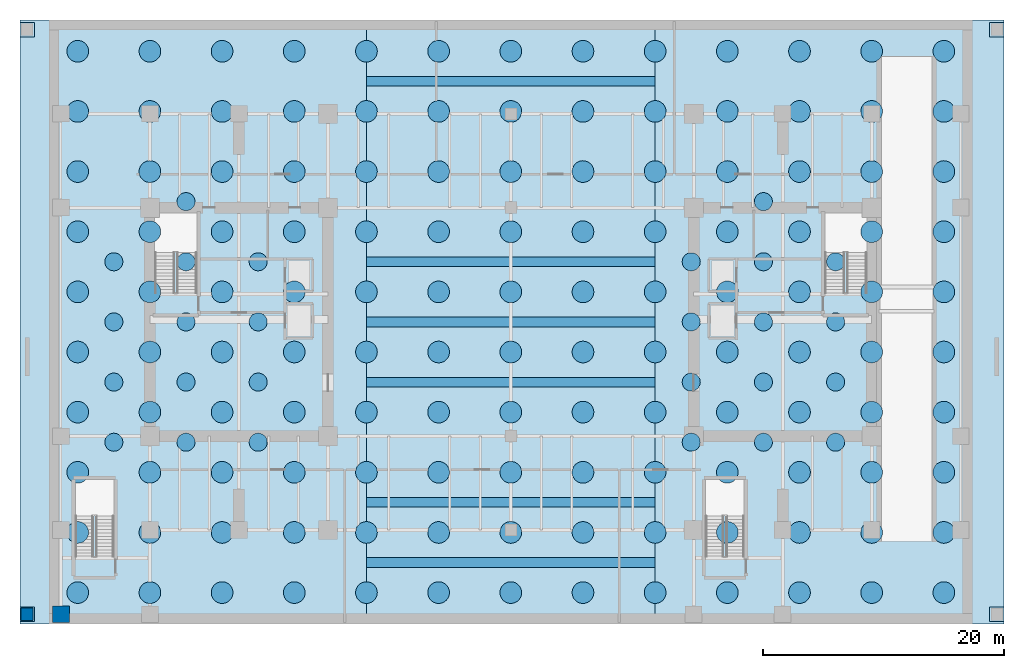
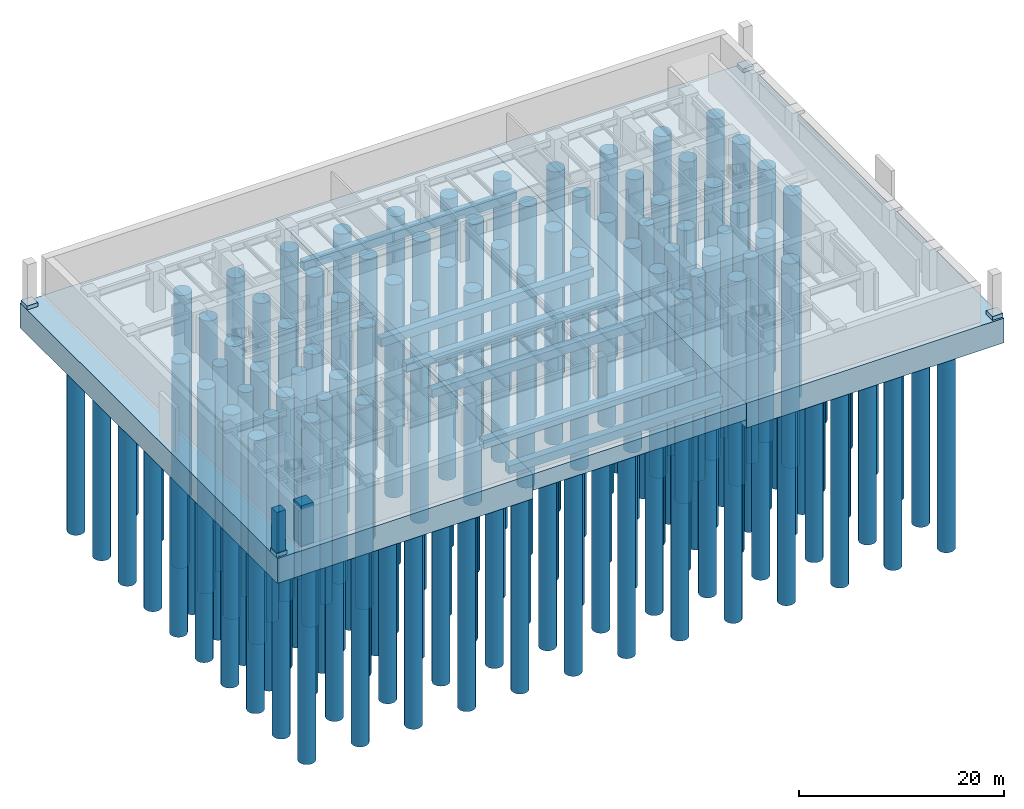
# One storey, part 1 of 8: 156 piles, 13 footings, 2 columns.
"""IFC4 building model written with IfcOpenShell, lengths in metres."""

from ifc_helpers import new_model, si_unit, direction, frame, origin, origin_with_axes, origin_2d, place, context, subcontext, project, spatial, polyline, rectangle, circle, outline, extrude, source, transform, mapped, material, material_profile, profile_set, type_object, type_shapes, element, save


model = new_model("IFC4")

# Units and contexts
model_context = context("Model", 3, precision=1e-05, world=origin(), true_north=direction((0.0, 1.0)))
body_context = subcontext(model_context, "Body", "Model", "MODEL_VIEW")
ifc_project = project(units=[si_unit("LENGTHUNIT", "METRE"), si_unit("AREAUNIT", "SQUARE_METRE"), si_unit("VOLUMEUNIT", "CUBIC_METRE"), si_unit("PLANEANGLEUNIT", "RADIAN"), si_unit("MASSUNIT", "GRAM", prefix="KILO")], contexts=[model_context])

# Site, building, storey
site_placement = place(None, origin())
site = spatial("IfcSite", under=ifc_project, at=site_placement, CompositionType="ELEMENT")
building_placement = place(site_placement, origin())
building = spatial("IfcBuilding", under=site, at=building_placement, Name="Haelvirn Gate Laboratories", CompositionType="ELEMENT")
storey_placement = place(building_placement, frame((0.0, 0.0, -14.39990234375)))
storey = spatial("IfcBuildingStorey", under=building, at=storey_placement, Name="B3", CompositionType="ELEMENT", Elevation=-14.39990234375)

# Footings
ifc_material_1 = material(Name="Concrete C40/50", Category="concrete")
footing_type_1 = type_object("IfcFootingType", Name="FT-GB-800x1000", PredefinedType="FOOTING_BEAM", material=ifc_material_1)
footing_1_placement = place(storey_placement, frame((0.0, 0.0, -3.400146484375)))
element("IfcFooting", 1, at=footing_1_placement, inside=storey, type_object=footing_type_1, Name="Footing Tie Beam FB1-01", PredefinedType="FOOTING_BEAM", context=body_context, shape_type="SweptSolid", body=[
    extrude(outline(polyline([(25.39990234375, 3.89990234375), (49.39990234375, 3.89990234375), (49.39990234375, 4.699951171875), (25.39990234375, 4.699951171875), (25.39990234375, 3.89990234375)])), origin(), (0.0, 0.0, 1.0), 1.0),
])
footing_2_placement = place(storey_placement, frame((0.0, 0.0, -3.400146484375)))
element("IfcFooting", 2, at=footing_2_placement, inside=storey, type_object=footing_type_1, Name="Footing Tie Beam FB1-02", PredefinedType="FOOTING_BEAM", context=body_context, shape_type="SweptSolid", body=[
    extrude(outline(polyline([(25.39990234375, 8.89990234375), (49.39990234375, 8.89990234375), (49.39990234375, 9.699951171875), (25.39990234375, 9.699951171875), (25.39990234375, 8.89990234375)])), origin(), (0.0, 0.0, 1.0), 1.0),
])
footing_3_placement = place(storey_placement, frame((0.0, 0.0, -3.400146484375)))
element("IfcFooting", 3, at=footing_3_placement, inside=storey, type_object=footing_type_1, Name="Footing Tie Beam FB1-03", PredefinedType="FOOTING_BEAM", context=body_context, shape_type="SweptSolid", body=[
    extrude(outline(polyline([(25.39990234375, 18.89990234375), (49.39990234375, 18.89990234375), (49.39990234375, 19.699951171875), (25.39990234375, 19.699951171875), (25.39990234375, 18.89990234375)])), origin(), (0.0, 0.0, 1.0), 1.0),
])
footing_4_placement = place(storey_placement, frame((0.0, 0.0, -3.400146484375)))
element("IfcFooting", 4, at=footing_4_placement, inside=storey, type_object=footing_type_1, Name="Footing Tie Beam FB1-04", PredefinedType="FOOTING_BEAM", context=body_context, shape_type="SweptSolid", body=[
    extrude(outline(polyline([(25.39990234375, 23.89990234375), (49.39990234375, 23.89990234375), (49.39990234375, 24.699951171875), (25.39990234375, 24.699951171875), (25.39990234375, 23.89990234375)])), origin(), (0.0, 0.0, 1.0), 1.0),
])
footing_5_placement = place(storey_placement, frame((0.0, 0.0, -3.400146484375)))
element("IfcFooting", 5, at=footing_5_placement, inside=storey, type_object=footing_type_1, Name="Footing Tie Beam FB1-05", PredefinedType="FOOTING_BEAM", context=body_context, shape_type="SweptSolid", body=[
    extrude(outline(polyline([(25.39990234375, 28.89990234375), (49.39990234375, 28.89990234375), (49.39990234375, 29.699951171875), (25.39990234375, 29.699951171875), (25.39990234375, 28.89990234375)])), origin(), (0.0, 0.0, 1.0), 1.0),
])
footing_6_placement = place(storey_placement, frame((0.0, 0.0, -3.400146484375)))
element("IfcFooting", 6, at=footing_6_placement, inside=storey, type_object=footing_type_1, Name="Footing Tie Beam FB1-06", PredefinedType="FOOTING_BEAM", context=body_context, shape_type="SweptSolid", body=[
    extrude(outline(polyline([(25.39990234375, 43.89990234375), (49.39990234375, 43.89990234375), (49.39990234375, 44.699951171875), (25.39990234375, 44.699951171875), (25.39990234375, 43.89990234375)])), origin(), (0.0, 0.0, 1.0), 1.0),
])
footing_type_2 = type_object("IfcFootingType", Name="FT-RAFT-CORE", PredefinedType="CAISSON_FOUNDATION", material=ifc_material_1)
footing_7_placement = place(storey_placement, frame((0.0, 0.0, -3.400146484375)))
element("IfcFooting", 7, at=footing_7_placement, inside=storey, type_object=footing_type_2, Name="Piled Raft RF-W", PredefinedType="CAISSON_FOUNDATION", context=body_context, shape_type="SweptSolid", body=[
    extrude(outline(polyline([(-3.39990234375, -0.800048828125), (25.39990234375, -0.800048828125), (25.39990234375, 49.39990234375), (-3.39990234375, 49.39990234375), (-3.39990234375, -0.800048828125)])), origin(), (0.0, 0.0, 1.0), 2.949951171875),
])
footing_8_placement = place(storey_placement, frame((0.0, 0.0, -3.400146484375)))
element("IfcFooting", 8, at=footing_8_placement, inside=storey, type_object=footing_type_2, Name="Piled Raft RF-E", PredefinedType="CAISSON_FOUNDATION", context=body_context, shape_type="SweptSolid", body=[
    extrude(outline(polyline([(49.39990234375, -0.800048828125), (78.39990234375, -0.800048828125), (78.39990234375, 49.39990234375), (49.39990234375, 49.39990234375), (49.39990234375, -0.800048828125)])), origin(), (0.0, 0.0, 1.0), 2.949951171875),
])
footing_type_3 = type_object("IfcFootingType", Name="FT-RAFT-LINK", PredefinedType="PILE_CAP", material=ifc_material_1)
footing_9_placement = place(storey_placement, frame((0.0, 0.0, -2.400146484375)))
element("IfcFooting", 9, at=footing_9_placement, inside=storey, type_object=footing_type_3, Name="Piled Raft RF-C", PredefinedType="PILE_CAP", context=body_context, shape_type="SweptSolid", body=[
    extrude(outline(polyline([(25.39990234375, -0.800048828125), (49.39990234375, -0.800048828125), (49.39990234375, 49.39990234375), (25.39990234375, 49.39990234375), (25.39990234375, -0.800048828125)])), origin(), (0.0, 0.0, 1.0), 1.949951171875),
])
footing_10_placement = place(storey_placement, frame((0.0, 0.0, -0.4501953125)))
element("IfcFooting", 10, at=footing_10_placement, inside=storey, type_object=footing_type_3, Name="B3 Plaza Column Pedestal Footing PWS", PredefinedType="PILE_CAP", context=body_context, shape_type="SweptSolid", body=[
    extrude(outline(polyline([(-3.39990234375, -0.60009765625), (-2.199951171875, -0.60009765625), (-2.199951171875, 0.60009765625), (-3.39990234375, 0.60009765625), (-3.39990234375, -0.60009765625)])), origin(), (0.0, 0.0, 1.0), 0.4501953125),
])
footing_11_placement = place(storey_placement, frame((0.0, 0.0, -0.4501953125)))
element("IfcFooting", 11, at=footing_11_placement, inside=storey, type_object=footing_type_3, Name="B3 Plaza Column Pedestal Footing PWN", PredefinedType="PILE_CAP", context=body_context, shape_type="SweptSolid", body=[
    extrude(outline(polyline([(-3.39990234375, 48.0), (-2.199951171875, 48.0), (-2.199951171875, 49.199951171875), (-3.39990234375, 49.199951171875), (-3.39990234375, 48.0)])), origin(), (0.0, 0.0, 1.0), 0.4501953125),
])
footing_12_placement = place(storey_placement, frame((0.0, 0.0, -0.4501953125)))
element("IfcFooting", 12, at=footing_12_placement, inside=storey, type_object=footing_type_3, Name="B3 Plaza Column Pedestal Footing PES", PredefinedType="PILE_CAP", context=body_context, shape_type="SweptSolid", body=[
    extrude(outline(polyline([(77.199951171875, -0.60009765625), (78.39990234375, -0.60009765625), (78.39990234375, 0.60009765625), (77.199951171875, 0.60009765625), (77.199951171875, -0.60009765625)])), origin(), (0.0, 0.0, 1.0), 0.4501953125),
])
footing_13_placement = place(storey_placement, frame((0.0, 0.0, -0.4501953125)))
element("IfcFooting", 13, at=footing_13_placement, inside=storey, type_object=footing_type_3, Name="B3 Plaza Column Pedestal Footing PEN", PredefinedType="PILE_CAP", context=body_context, shape_type="SweptSolid", body=[
    extrude(outline(polyline([(77.199951171875, 48.0), (78.39990234375, 48.0), (78.39990234375, 49.199951171875), (77.199951171875, 49.199951171875), (77.199951171875, 48.0)])), origin(), (0.0, 0.0, 1.0), 0.4501953125),
])

# Piles
ifc_material_2 = material(Name="Concrete C50/60", Category="concrete")
ifc_material_profile_1 = material_profile(ifc_material_2, circle(Radius=0.89990234375, at=origin_2d()), Name="PILE-D1800")
ifc_profile_set_1 = profile_set([ifc_material_profile_1], Name="Concrete C50/60")
pile_type_1 = type_object("IfcPileType", Name="PILE-T1800", PredefinedType="BORED", material=ifc_profile_set_1)
shared_shape_1 = source(origin(), body_context, "Body", "SweptSolid", [
    extrude(circle(Radius=0.89990234375, at=origin_2d()), origin(), (0.0, 0.0, 1.0), 24.35009765625),
])
for number, where, z_axis, x_axis, name in (
    (14, (1.39990234375, 1.800048828125, -3.25), (0.0, 0.0, -1.0), (1.0, 0.0, 0.0), "Rock-Socketed Bored Pile PILE-001"),
    (15, (1.39990234375, 6.800048828125, -3.25), (0.0, 0.0, -1.0), (1.0, 0.0, 0.0), "Rock-Socketed Bored Pile PILE-002"),
    (16, (1.39990234375, 11.800048828125, -3.25), (0.0, 0.0, -1.0), (1.0, 0.0, 0.0), "Rock-Socketed Bored Pile PILE-003"),
    (17, (1.39990234375, 16.800048828125, -3.25), (0.0, 0.0, -1.0), (1.0, 0.0, 0.0), "Rock-Socketed Bored Pile PILE-004"),
    (18, (1.39990234375, 21.800048828125, -3.25), (0.0, 0.0, -1.0), (1.0, 0.0, 0.0), "Rock-Socketed Bored Pile PILE-005"),
    (19, (1.39990234375, 26.800048828125, -3.25), (0.0, 0.0, -1.0), (1.0, 0.0, 0.0), "Rock-Socketed Bored Pile PILE-006"),
    (20, (1.39990234375, 31.800048828125, -3.25), (0.0, 0.0, -1.0), (1.0, 0.0, 0.0), "Rock-Socketed Bored Pile PILE-007"),
    (21, (1.39990234375, 36.800048828125, -3.25), (0.0, 0.0, -1.0), (1.0, 0.0, 0.0), "Rock-Socketed Bored Pile PILE-008"),
    (22, (1.39990234375, 41.800048828125, -3.25), (0.0, 0.0, -1.0), (1.0, 0.0, 0.0), "Rock-Socketed Bored Pile PILE-009"),
    (23, (1.39990234375, 46.800048828125, -3.25), (0.0, 0.0, -1.0), (1.0, 0.0, 0.0), "Rock-Socketed Bored Pile PILE-010"),
    (24, (7.39990234375, 1.800048828125, -3.25), (0.0, 0.0, -1.0), (1.0, 0.0, 0.0), "Rock-Socketed Bored Pile PILE-011"),
    (25, (7.39990234375, 6.800048828125, -3.25), (0.0, 0.0, -1.0), (1.0, 0.0, 0.0), "Rock-Socketed Bored Pile PILE-012"),
    (26, (7.39990234375, 11.800048828125, -3.25), (0.0, 0.0, -1.0), (1.0, 0.0, 0.0), "Rock-Socketed Bored Pile PILE-013"),
    (27, (7.39990234375, 16.800048828125, -3.25), (0.0, 0.0, -1.0), (1.0, 0.0, 0.0), "Rock-Socketed Bored Pile PILE-014"),
    (28, (7.39990234375, 21.800048828125, -3.25), (0.0, 0.0, -1.0), (1.0, 0.0, 0.0), "Rock-Socketed Bored Pile PILE-015"),
    (29, (7.39990234375, 26.800048828125, -3.25), (0.0, 0.0, -1.0), (1.0, 0.0, 0.0), "Rock-Socketed Bored Pile PILE-016"),
    (30, (7.39990234375, 31.800048828125, -3.25), (0.0, 0.0, -1.0), (1.0, 0.0, 0.0), "Rock-Socketed Bored Pile PILE-017"),
    (31, (7.39990234375, 36.800048828125, -3.25), (0.0, 0.0, -1.0), (1.0, 0.0, 0.0), "Rock-Socketed Bored Pile PILE-018"),
    (32, (7.39990234375, 41.800048828125, -3.25), (0.0, 0.0, -1.0), (1.0, 0.0, 0.0), "Rock-Socketed Bored Pile PILE-019"),
    (33, (7.39990234375, 46.800048828125, -3.25), (0.0, 0.0, -1.0), (1.0, 0.0, 0.0), "Rock-Socketed Bored Pile PILE-020"),
    (34, (13.39990234375, 1.800048828125, -3.25), (0.0, 0.0, -1.0), (1.0, 0.0, 0.0), "Rock-Socketed Bored Pile PILE-021"),
    (35, (13.39990234375, 6.800048828125, -3.25), (0.0, 0.0, -1.0), (1.0, 0.0, 0.0), "Rock-Socketed Bored Pile PILE-022"),
    (36, (13.39990234375, 11.800048828125, -3.25), (0.0, 0.0, -1.0), (1.0, 0.0, 0.0), "Rock-Socketed Bored Pile PILE-023"),
    (37, (13.39990234375, 16.800048828125, -3.25), (0.0, 0.0, -1.0), (1.0, 0.0, 0.0), "Rock-Socketed Bored Pile PILE-024"),
    (38, (13.39990234375, 21.800048828125, -3.25), (0.0, 0.0, -1.0), (1.0, 0.0, 0.0), "Rock-Socketed Bored Pile PILE-025"),
    (39, (13.39990234375, 26.800048828125, -3.25), (0.0, 0.0, -1.0), (1.0, 0.0, 0.0), "Rock-Socketed Bored Pile PILE-026"),
    (40, (13.39990234375, 31.800048828125, -3.25), (0.0, 0.0, -1.0), (1.0, 0.0, 0.0), "Rock-Socketed Bored Pile PILE-027"),
    (41, (13.39990234375, 36.800048828125, -3.25), (0.0, 0.0, -1.0), (1.0, 0.0, 0.0), "Rock-Socketed Bored Pile PILE-028"),
    (42, (13.39990234375, 41.800048828125, -3.25), (0.0, 0.0, -1.0), (1.0, 0.0, 0.0), "Rock-Socketed Bored Pile PILE-029"),
    (43, (13.39990234375, 46.800048828125, -3.25), (0.0, 0.0, -1.0), (1.0, 0.0, 0.0), "Rock-Socketed Bored Pile PILE-030"),
    (44, (19.39990234375, 1.800048828125, -3.25), (0.0, 0.0, -1.0), (1.0, 0.0, 0.0), "Rock-Socketed Bored Pile PILE-031"),
    (45, (19.39990234375, 6.800048828125, -3.25), (0.0, 0.0, -1.0), (1.0, 0.0, 0.0), "Rock-Socketed Bored Pile PILE-032"),
    (46, (19.39990234375, 11.800048828125, -3.25), (0.0, 0.0, -1.0), (1.0, 0.0, 0.0), "Rock-Socketed Bored Pile PILE-033"),
    (47, (19.39990234375, 16.800048828125, -3.25), (0.0, 0.0, -1.0), (1.0, 0.0, 0.0), "Rock-Socketed Bored Pile PILE-034"),
    (48, (19.39990234375, 21.800048828125, -3.25), (0.0, 0.0, -1.0), (1.0, 0.0, 0.0), "Rock-Socketed Bored Pile PILE-035"),
    (49, (19.39990234375, 26.800048828125, -3.25), (0.0, 0.0, -1.0), (1.0, 0.0, 0.0), "Rock-Socketed Bored Pile PILE-036"),
    (50, (19.39990234375, 31.800048828125, -3.25), (0.0, 0.0, -1.0), (1.0, 0.0, 0.0), "Rock-Socketed Bored Pile PILE-037"),
    (51, (19.39990234375, 36.800048828125, -3.25), (0.0, 0.0, -1.0), (1.0, 0.0, 0.0), "Rock-Socketed Bored Pile PILE-038"),
    (52, (19.39990234375, 41.800048828125, -3.25), (0.0, 0.0, -1.0), (1.0, 0.0, 0.0), "Rock-Socketed Bored Pile PILE-039"),
    (53, (19.39990234375, 46.800048828125, -3.25), (0.0, 0.0, -1.0), (1.0, 0.0, 0.0), "Rock-Socketed Bored Pile PILE-040"),
    (54, (55.39990234375, 1.800048828125, -3.25), (0.0, 0.0, -1.0), (1.0, 0.0, 0.0), "Rock-Socketed Bored Pile PILE-091"),
    (55, (55.39990234375, 6.800048828125, -3.25), (0.0, 0.0, -1.0), (1.0, 0.0, 0.0), "Rock-Socketed Bored Pile PILE-092"),
    (56, (55.39990234375, 11.800048828125, -3.25), (0.0, 0.0, -1.0), (1.0, 0.0, 0.0), "Rock-Socketed Bored Pile PILE-093"),
    (57, (55.39990234375, 16.800048828125, -3.25), (0.0, 0.0, -1.0), (1.0, 0.0, 0.0), "Rock-Socketed Bored Pile PILE-094"),
    (58, (55.39990234375, 21.800048828125, -3.25), (0.0, 0.0, -1.0), (1.0, 0.0, 0.0), "Rock-Socketed Bored Pile PILE-095"),
    (59, (55.39990234375, 26.800048828125, -3.25), (0.0, 0.0, -1.0), (1.0, 0.0, 0.0), "Rock-Socketed Bored Pile PILE-096"),
    (60, (55.39990234375, 31.800048828125, -3.25), (0.0, 0.0, -1.0), (1.0, 0.0, 0.0), "Rock-Socketed Bored Pile PILE-097"),
    (61, (55.39990234375, 36.800048828125, -3.25), (0.0, 0.0, -1.0), (1.0, 0.0, 0.0), "Rock-Socketed Bored Pile PILE-098"),
    (62, (55.39990234375, 41.800048828125, -3.25), (0.0, 0.0, -1.0), (1.0, 0.0, 0.0), "Rock-Socketed Bored Pile PILE-099"),
    (63, (55.39990234375, 46.800048828125, -3.25), (0.0, 0.0, -1.0), (1.0, 0.0, 0.0), "Rock-Socketed Bored Pile PILE-100"),
    (64, (61.39990234375, 1.800048828125, -3.25), (0.0, 0.0, -1.0), (1.0, 0.0, 0.0), "Rock-Socketed Bored Pile PILE-101"),
    (65, (61.39990234375, 6.800048828125, -3.25), (0.0, 0.0, -1.0), (1.0, 0.0, 0.0), "Rock-Socketed Bored Pile PILE-102"),
    (66, (61.39990234375, 11.800048828125, -3.25), (0.0, 0.0, -1.0), (1.0, 0.0, 0.0), "Rock-Socketed Bored Pile PILE-103"),
    (67, (61.39990234375, 16.800048828125, -3.25), (0.0, 0.0, -1.0), (1.0, 0.0, 0.0), "Rock-Socketed Bored Pile PILE-104"),
    (68, (61.39990234375, 21.800048828125, -3.25), (0.0, 0.0, -1.0), (1.0, 0.0, 0.0), "Rock-Socketed Bored Pile PILE-105"),
    (69, (61.39990234375, 26.800048828125, -3.25), (0.0, 0.0, -1.0), (1.0, 0.0, 0.0), "Rock-Socketed Bored Pile PILE-106"),
    (70, (61.39990234375, 31.800048828125, -3.25), (0.0, 0.0, -1.0), (1.0, 0.0, 0.0), "Rock-Socketed Bored Pile PILE-107"),
    (71, (61.39990234375, 36.800048828125, -3.25), (0.0, 0.0, -1.0), (1.0, 0.0, 0.0), "Rock-Socketed Bored Pile PILE-108"),
    (72, (61.39990234375, 41.800048828125, -3.25), (0.0, 0.0, -1.0), (1.0, 0.0, 0.0), "Rock-Socketed Bored Pile PILE-109"),
    (73, (61.39990234375, 46.800048828125, -3.25), (0.0, 0.0, -1.0), (1.0, 0.0, 0.0), "Rock-Socketed Bored Pile PILE-110"),
    (74, (67.39990234375, 1.800048828125, -3.25), (0.0, 0.0, -1.0), (1.0, 0.0, 0.0), "Rock-Socketed Bored Pile PILE-111"),
    (75, (67.39990234375, 6.800048828125, -3.25), (0.0, 0.0, -1.0), (1.0, 0.0, 0.0), "Rock-Socketed Bored Pile PILE-112"),
    (76, (67.39990234375, 11.800048828125, -3.25), (0.0, 0.0, -1.0), (1.0, 0.0, 0.0), "Rock-Socketed Bored Pile PILE-113"),
    (77, (67.39990234375, 16.800048828125, -3.25), (0.0, 0.0, -1.0), (1.0, 0.0, 0.0), "Rock-Socketed Bored Pile PILE-114"),
    (78, (67.39990234375, 21.800048828125, -3.25), (0.0, 0.0, -1.0), (1.0, 0.0, 0.0), "Rock-Socketed Bored Pile PILE-115"),
    (79, (67.39990234375, 26.800048828125, -3.25), (0.0, 0.0, -1.0), (1.0, 0.0, 0.0), "Rock-Socketed Bored Pile PILE-116"),
    (80, (67.39990234375, 31.800048828125, -3.25), (0.0, 0.0, -1.0), (1.0, 0.0, 0.0), "Rock-Socketed Bored Pile PILE-117"),
    (81, (67.39990234375, 36.800048828125, -3.25), (0.0, 0.0, -1.0), (1.0, 0.0, 0.0), "Rock-Socketed Bored Pile PILE-118"),
    (82, (67.39990234375, 41.800048828125, -3.25), (0.0, 0.0, -1.0), (1.0, 0.0, 0.0), "Rock-Socketed Bored Pile PILE-119"),
    (83, (67.39990234375, 46.800048828125, -3.25), (0.0, 0.0, -1.0), (1.0, 0.0, 0.0), "Rock-Socketed Bored Pile PILE-120"),
    (84, (73.39990234375, 1.800048828125, -3.25), (0.0, 0.0, -1.0), (1.0, 0.0, 0.0), "Rock-Socketed Bored Pile PILE-121"),
    (85, (73.39990234375, 6.800048828125, -3.25), (0.0, 0.0, -1.0), (1.0, 0.0, 0.0), "Rock-Socketed Bored Pile PILE-122"),
    (86, (73.39990234375, 11.800048828125, -3.25), (0.0, 0.0, -1.0), (1.0, 0.0, 0.0), "Rock-Socketed Bored Pile PILE-123"),
    (87, (73.39990234375, 16.800048828125, -3.25), (0.0, 0.0, -1.0), (1.0, 0.0, 0.0), "Rock-Socketed Bored Pile PILE-124"),
    (88, (73.39990234375, 21.800048828125, -3.25), (0.0, 0.0, -1.0), (1.0, 0.0, 0.0), "Rock-Socketed Bored Pile PILE-125"),
    (89, (73.39990234375, 26.800048828125, -3.25), (0.0, 0.0, -1.0), (1.0, 0.0, 0.0), "Rock-Socketed Bored Pile PILE-126"),
    (90, (73.39990234375, 31.800048828125, -3.25), (0.0, 0.0, -1.0), (1.0, 0.0, 0.0), "Rock-Socketed Bored Pile PILE-127"),
    (91, (73.39990234375, 36.800048828125, -3.25), (0.0, 0.0, -1.0), (1.0, 0.0, 0.0), "Rock-Socketed Bored Pile PILE-128"),
    (92, (73.39990234375, 41.800048828125, -3.25), (0.0, 0.0, -1.0), (1.0, 0.0, 0.0), "Rock-Socketed Bored Pile PILE-129"),
    (93, (73.39990234375, 46.800048828125, -3.25), (0.0, 0.0, -1.0), (1.0, 0.0, 0.0), "Rock-Socketed Bored Pile PILE-130"),
):
    element("IfcPile", number, at=place(storey_placement, frame(where, z_axis=z_axis, x_axis=x_axis)), inside=storey, type_object=pile_type_1, Name=name, PredefinedType="BORED", context=body_context, shape_type="MappedRepresentation", body=[
        mapped(shared_shape_1, transform((0.0, 0.0, 0.0), scale=1.0)),
    ])
shared_shape_2 = source(origin(), body_context, "Body", "SweptSolid", [
    extrude(circle(Radius=0.89990234375, at=origin_2d()), origin(), (0.0, 0.0, 1.0), 25.35009765625),
])
type_shapes(pile_type_1, [shared_shape_1, shared_shape_2])
for number, where, z_axis, x_axis, name in (
    (94, (25.39990234375, 1.800048828125, -2.25), (0.0, 0.0, -1.0), (1.0, 0.0, 0.0), "Rock-Socketed Bored Pile PILE-041"),
    (95, (25.39990234375, 6.800048828125, -2.25), (0.0, 0.0, -1.0), (1.0, 0.0, 0.0), "Rock-Socketed Bored Pile PILE-042"),
    (96, (25.39990234375, 11.800048828125, -2.25), (0.0, 0.0, -1.0), (1.0, 0.0, 0.0), "Rock-Socketed Bored Pile PILE-043"),
    (97, (25.39990234375, 16.800048828125, -2.25), (0.0, 0.0, -1.0), (1.0, 0.0, 0.0), "Rock-Socketed Bored Pile PILE-044"),
    (98, (25.39990234375, 21.800048828125, -2.25), (0.0, 0.0, -1.0), (1.0, 0.0, 0.0), "Rock-Socketed Bored Pile PILE-045"),
    (99, (25.39990234375, 26.800048828125, -2.25), (0.0, 0.0, -1.0), (1.0, 0.0, 0.0), "Rock-Socketed Bored Pile PILE-046"),
    (100, (25.39990234375, 31.800048828125, -2.25), (0.0, 0.0, -1.0), (1.0, 0.0, 0.0), "Rock-Socketed Bored Pile PILE-047"),
    (101, (25.39990234375, 36.800048828125, -2.25), (0.0, 0.0, -1.0), (1.0, 0.0, 0.0), "Rock-Socketed Bored Pile PILE-048"),
    (102, (25.39990234375, 41.800048828125, -2.25), (0.0, 0.0, -1.0), (1.0, 0.0, 0.0), "Rock-Socketed Bored Pile PILE-049"),
    (103, (25.39990234375, 46.800048828125, -2.25), (0.0, 0.0, -1.0), (1.0, 0.0, 0.0), "Rock-Socketed Bored Pile PILE-050"),
    (104, (31.39990234375, 1.800048828125, -2.25), (0.0, 0.0, -1.0), (1.0, 0.0, 0.0), "Rock-Socketed Bored Pile PILE-051"),
    (105, (31.39990234375, 6.800048828125, -2.25), (0.0, 0.0, -1.0), (1.0, 0.0, 0.0), "Rock-Socketed Bored Pile PILE-052"),
    (106, (31.39990234375, 11.800048828125, -2.25), (0.0, 0.0, -1.0), (1.0, 0.0, 0.0), "Rock-Socketed Bored Pile PILE-053"),
    (107, (31.39990234375, 16.800048828125, -2.25), (0.0, 0.0, -1.0), (1.0, 0.0, 0.0), "Rock-Socketed Bored Pile PILE-054"),
    (108, (31.39990234375, 21.800048828125, -2.25), (0.0, 0.0, -1.0), (1.0, 0.0, 0.0), "Rock-Socketed Bored Pile PILE-055"),
    (109, (31.39990234375, 26.800048828125, -2.25), (0.0, 0.0, -1.0), (1.0, 0.0, 0.0), "Rock-Socketed Bored Pile PILE-056"),
    (110, (31.39990234375, 31.800048828125, -2.25), (0.0, 0.0, -1.0), (1.0, 0.0, 0.0), "Rock-Socketed Bored Pile PILE-057"),
    (111, (31.39990234375, 36.800048828125, -2.25), (0.0, 0.0, -1.0), (1.0, 0.0, 0.0), "Rock-Socketed Bored Pile PILE-058"),
    (112, (31.39990234375, 41.800048828125, -2.25), (0.0, 0.0, -1.0), (1.0, 0.0, 0.0), "Rock-Socketed Bored Pile PILE-059"),
    (113, (31.39990234375, 46.800048828125, -2.25), (0.0, 0.0, -1.0), (1.0, 0.0, 0.0), "Rock-Socketed Bored Pile PILE-060"),
    (114, (37.39990234375, 1.800048828125, -2.25), (0.0, 0.0, -1.0), (1.0, 0.0, 0.0), "Rock-Socketed Bored Pile PILE-061"),
    (115, (37.39990234375, 6.800048828125, -2.25), (0.0, 0.0, -1.0), (1.0, 0.0, 0.0), "Rock-Socketed Bored Pile PILE-062"),
    (116, (37.39990234375, 11.800048828125, -2.25), (0.0, 0.0, -1.0), (1.0, 0.0, 0.0), "Rock-Socketed Bored Pile PILE-063"),
    (117, (37.39990234375, 16.800048828125, -2.25), (0.0, 0.0, -1.0), (1.0, 0.0, 0.0), "Rock-Socketed Bored Pile PILE-064"),
    (118, (37.39990234375, 21.800048828125, -2.25), (0.0, 0.0, -1.0), (1.0, 0.0, 0.0), "Rock-Socketed Bored Pile PILE-065"),
    (119, (37.39990234375, 26.800048828125, -2.25), (0.0, 0.0, -1.0), (1.0, 0.0, 0.0), "Rock-Socketed Bored Pile PILE-066"),
    (120, (37.39990234375, 31.800048828125, -2.25), (0.0, 0.0, -1.0), (1.0, 0.0, 0.0), "Rock-Socketed Bored Pile PILE-067"),
    (121, (37.39990234375, 36.800048828125, -2.25), (0.0, 0.0, -1.0), (1.0, 0.0, 0.0), "Rock-Socketed Bored Pile PILE-068"),
    (122, (37.39990234375, 41.800048828125, -2.25), (0.0, 0.0, -1.0), (1.0, 0.0, 0.0), "Rock-Socketed Bored Pile PILE-069"),
    (123, (37.39990234375, 46.800048828125, -2.25), (0.0, 0.0, -1.0), (1.0, 0.0, 0.0), "Rock-Socketed Bored Pile PILE-070"),
    (124, (43.39990234375, 1.800048828125, -2.25), (0.0, 0.0, -1.0), (1.0, 0.0, 0.0), "Rock-Socketed Bored Pile PILE-071"),
    (125, (43.39990234375, 6.800048828125, -2.25), (0.0, 0.0, -1.0), (1.0, 0.0, 0.0), "Rock-Socketed Bored Pile PILE-072"),
    (126, (43.39990234375, 11.800048828125, -2.25), (0.0, 0.0, -1.0), (1.0, 0.0, 0.0), "Rock-Socketed Bored Pile PILE-073"),
    (127, (43.39990234375, 16.800048828125, -2.25), (0.0, 0.0, -1.0), (1.0, 0.0, 0.0), "Rock-Socketed Bored Pile PILE-074"),
    (128, (43.39990234375, 21.800048828125, -2.25), (0.0, 0.0, -1.0), (1.0, 0.0, 0.0), "Rock-Socketed Bored Pile PILE-075"),
    (129, (43.39990234375, 26.800048828125, -2.25), (0.0, 0.0, -1.0), (1.0, 0.0, 0.0), "Rock-Socketed Bored Pile PILE-076"),
    (130, (43.39990234375, 31.800048828125, -2.25), (0.0, 0.0, -1.0), (1.0, 0.0, 0.0), "Rock-Socketed Bored Pile PILE-077"),
    (131, (43.39990234375, 36.800048828125, -2.25), (0.0, 0.0, -1.0), (1.0, 0.0, 0.0), "Rock-Socketed Bored Pile PILE-078"),
    (132, (43.39990234375, 41.800048828125, -2.25), (0.0, 0.0, -1.0), (1.0, 0.0, 0.0), "Rock-Socketed Bored Pile PILE-079"),
    (133, (43.39990234375, 46.800048828125, -2.25), (0.0, 0.0, -1.0), (1.0, 0.0, 0.0), "Rock-Socketed Bored Pile PILE-080"),
    (134, (49.39990234375, 1.800048828125, -2.25), (0.0, 0.0, -1.0), (1.0, 0.0, 0.0), "Rock-Socketed Bored Pile PILE-081"),
    (135, (49.39990234375, 6.800048828125, -2.25), (0.0, 0.0, -1.0), (1.0, 0.0, 0.0), "Rock-Socketed Bored Pile PILE-082"),
    (136, (49.39990234375, 11.800048828125, -2.25), (0.0, 0.0, -1.0), (1.0, 0.0, 0.0), "Rock-Socketed Bored Pile PILE-083"),
    (137, (49.39990234375, 16.800048828125, -2.25), (0.0, 0.0, -1.0), (1.0, 0.0, 0.0), "Rock-Socketed Bored Pile PILE-084"),
    (138, (49.39990234375, 21.800048828125, -2.25), (0.0, 0.0, -1.0), (1.0, 0.0, 0.0), "Rock-Socketed Bored Pile PILE-085"),
    (139, (49.39990234375, 26.800048828125, -2.25), (0.0, 0.0, -1.0), (1.0, 0.0, 0.0), "Rock-Socketed Bored Pile PILE-086"),
    (140, (49.39990234375, 31.800048828125, -2.25), (0.0, 0.0, -1.0), (1.0, 0.0, 0.0), "Rock-Socketed Bored Pile PILE-087"),
    (141, (49.39990234375, 36.800048828125, -2.25), (0.0, 0.0, -1.0), (1.0, 0.0, 0.0), "Rock-Socketed Bored Pile PILE-088"),
    (142, (49.39990234375, 41.800048828125, -2.25), (0.0, 0.0, -1.0), (1.0, 0.0, 0.0), "Rock-Socketed Bored Pile PILE-089"),
    (143, (49.39990234375, 46.800048828125, -2.25), (0.0, 0.0, -1.0), (1.0, 0.0, 0.0), "Rock-Socketed Bored Pile PILE-090"),
):
    element("IfcPile", number, at=place(storey_placement, frame(where, z_axis=z_axis, x_axis=x_axis)), inside=storey, type_object=pile_type_1, Name=name, PredefinedType="BORED", context=body_context, shape_type="MappedRepresentation", body=[
        mapped(shared_shape_2, transform((0.0, 0.0, 0.0), scale=1.0)),
    ])
ifc_material_profile_2 = material_profile(ifc_material_2, circle(Radius=0.75, at=origin_2d()), Name="PILE-D1500")
ifc_profile_set_2 = profile_set([ifc_material_profile_2], Name="Concrete C50/60")
pile_type_2 = type_object("IfcPileType", Name="PILE-T1500", PredefinedType="BORED", material=ifc_profile_set_2)
shared_shape_3 = source(origin(), body_context, "Body", "SweptSolid", [
    extrude(circle(Radius=0.75, at=origin_2d()), origin(), (0.0, 0.0, 1.0), 24.35009765625),
])
type_shapes(pile_type_2, [shared_shape_3])
for number, where, z_axis, x_axis, name in (
    (144, (4.39990234375, 14.300048828125, -3.25), (0.0, 0.0, -1.0), (1.0, 0.0, 0.0), "Rock-Socketed Bored Pile PILE-131"),
    (145, (4.39990234375, 19.300048828125, -3.25), (0.0, 0.0, -1.0), (1.0, 0.0, 0.0), "Rock-Socketed Bored Pile PILE-132"),
    (146, (4.39990234375, 24.300048828125, -3.25), (0.0, 0.0, -1.0), (1.0, 0.0, 0.0), "Rock-Socketed Bored Pile PILE-133"),
    (147, (4.39990234375, 29.300048828125, -3.25), (0.0, 0.0, -1.0), (1.0, 0.0, 0.0), "Rock-Socketed Bored Pile PILE-134"),
    (148, (10.39990234375, 14.300048828125, -3.25), (0.0, 0.0, -1.0), (1.0, 0.0, 0.0), "Rock-Socketed Bored Pile PILE-135"),
    (149, (10.39990234375, 19.300048828125, -3.25), (0.0, 0.0, -1.0), (1.0, 0.0, 0.0), "Rock-Socketed Bored Pile PILE-136"),
    (150, (10.39990234375, 24.300048828125, -3.25), (0.0, 0.0, -1.0), (1.0, 0.0, 0.0), "Rock-Socketed Bored Pile PILE-137"),
    (151, (10.39990234375, 29.300048828125, -3.25), (0.0, 0.0, -1.0), (1.0, 0.0, 0.0), "Rock-Socketed Bored Pile PILE-138"),
    (152, (16.39990234375, 14.300048828125, -3.25), (0.0, 0.0, -1.0), (1.0, 0.0, 0.0), "Rock-Socketed Bored Pile PILE-139"),
    (153, (16.39990234375, 19.300048828125, -3.25), (0.0, 0.0, -1.0), (1.0, 0.0, 0.0), "Rock-Socketed Bored Pile PILE-140"),
    (154, (16.39990234375, 24.300048828125, -3.25), (0.0, 0.0, -1.0), (1.0, 0.0, 0.0), "Rock-Socketed Bored Pile PILE-141"),
    (155, (16.39990234375, 29.300048828125, -3.25), (0.0, 0.0, -1.0), (1.0, 0.0, 0.0), "Rock-Socketed Bored Pile PILE-142"),
    (156, (10.39990234375, 34.300048828125, -3.25), (0.0, 0.0, -1.0), (1.0, 0.0, 0.0), "Rock-Socketed Bored Pile PILE-143"),
    (157, (52.39990234375, 14.300048828125, -3.25), (0.0, 0.0, -1.0), (1.0, 0.0, 0.0), "Rock-Socketed Bored Pile PILE-144"),
    (158, (52.39990234375, 19.300048828125, -3.25), (0.0, 0.0, -1.0), (1.0, 0.0, 0.0), "Rock-Socketed Bored Pile PILE-145"),
    (159, (52.39990234375, 24.300048828125, -3.25), (0.0, 0.0, -1.0), (1.0, 0.0, 0.0), "Rock-Socketed Bored Pile PILE-146"),
    (160, (52.39990234375, 29.300048828125, -3.25), (0.0, 0.0, -1.0), (1.0, 0.0, 0.0), "Rock-Socketed Bored Pile PILE-147"),
    (161, (58.39990234375, 14.300048828125, -3.25), (0.0, 0.0, -1.0), (1.0, 0.0, 0.0), "Rock-Socketed Bored Pile PILE-148"),
    (162, (58.39990234375, 19.300048828125, -3.25), (0.0, 0.0, -1.0), (1.0, 0.0, 0.0), "Rock-Socketed Bored Pile PILE-149"),
    (163, (58.39990234375, 24.300048828125, -3.25), (0.0, 0.0, -1.0), (1.0, 0.0, 0.0), "Rock-Socketed Bored Pile PILE-150"),
    (164, (58.39990234375, 29.300048828125, -3.25), (0.0, 0.0, -1.0), (1.0, 0.0, 0.0), "Rock-Socketed Bored Pile PILE-151"),
    (165, (64.39990234375, 14.300048828125, -3.25), (0.0, 0.0, -1.0), (1.0, 0.0, 0.0), "Rock-Socketed Bored Pile PILE-152"),
    (166, (64.39990234375, 19.300048828125, -3.25), (0.0, 0.0, -1.0), (1.0, 0.0, 0.0), "Rock-Socketed Bored Pile PILE-153"),
    (167, (64.39990234375, 24.300048828125, -3.25), (0.0, 0.0, -1.0), (1.0, 0.0, 0.0), "Rock-Socketed Bored Pile PILE-154"),
    (168, (64.39990234375, 29.300048828125, -3.25), (0.0, 0.0, -1.0), (1.0, 0.0, 0.0), "Rock-Socketed Bored Pile PILE-155"),
    (169, (58.39990234375, 34.300048828125, -3.25), (0.0, 0.0, -1.0), (1.0, 0.0, 0.0), "Rock-Socketed Bored Pile PILE-156"),
):
    element("IfcPile", number, at=place(storey_placement, frame(where, z_axis=z_axis, x_axis=x_axis)), inside=storey, type_object=pile_type_2, Name=name, PredefinedType="BORED", context=body_context, shape_type="MappedRepresentation", body=[
        mapped(shared_shape_3, transform((0.0, 0.0, 0.0), scale=1.0)),
    ])

# Columns
ifc_material_3 = material(Name="Concrete C70/85", Category="concrete")
ifc_material_profile_3 = material_profile(ifc_material_3, rectangle(XDim=1.39990234375, YDim=1.39990234375, at=origin_2d()), Name="SRC-1400x1400")
ifc_profile_set_3 = profile_set([ifc_material_profile_3], Name="Concrete C70/85")
column_type_1 = type_object("IfcColumnType", Name="COL-SRC-1400", PredefinedType="COLUMN", material=ifc_profile_set_3)
shared_shape_4 = source(origin(), body_context, "Body", "SweptSolid", [
    extrude(rectangle(XDim=1.39990234375, YDim=1.39990234375, at=origin_2d()), origin(), (0.0, 0.0, 1.0), 4.7998046875),
])
type_shapes(column_type_1, [shared_shape_4])
column_1_placement = place(storey_placement, origin_with_axes())
element("IfcColumn", 170, at=column_1_placement, inside=storey, type_object=column_type_1, Name="B3 Column 1A", PredefinedType="COLUMN", context=body_context, shape_type="MappedRepresentation", body=[
    mapped(shared_shape_4, transform((0.0, 0.0, 0.0), scale=1.0)),
])
ifc_material_4 = material(Name="Concrete C60/75", Category="concrete")
ifc_material_profile_4 = material_profile(ifc_material_4, rectangle(XDim=1.0, YDim=1.0, at=origin_2d()), Name="RC-1000x1000")
ifc_profile_set_4 = profile_set([ifc_material_profile_4], Name="Concrete C60/75")
column_type_2 = type_object("IfcColumnType", Name="COL-RC-1000", PredefinedType="COLUMN", material=ifc_profile_set_4)
shared_shape_5 = source(origin(), body_context, "Body", "SweptSolid", [
    extrude(rectangle(XDim=1.0, YDim=1.0, at=origin_2d()), origin(), (0.0, 0.0, 1.0), 4.7998046875),
])
type_shapes(column_type_2, [shared_shape_5])
column_2_placement = place(storey_placement, frame((-2.800048828125, 0.0, 0.0), z_axis=(0.0, 0.0, 1.0), x_axis=(1.0, 0.0, 0.0)))
element("IfcColumn", 171, at=column_2_placement, inside=storey, type_object=column_type_2, Name="B3 Column PWS", PredefinedType="COLUMN", context=body_context, shape_type="MappedRepresentation", body=[
    mapped(shared_shape_5, transform((0.0, 0.0, 0.0), scale=1.0)),
])

save(model, "model.ifc")
